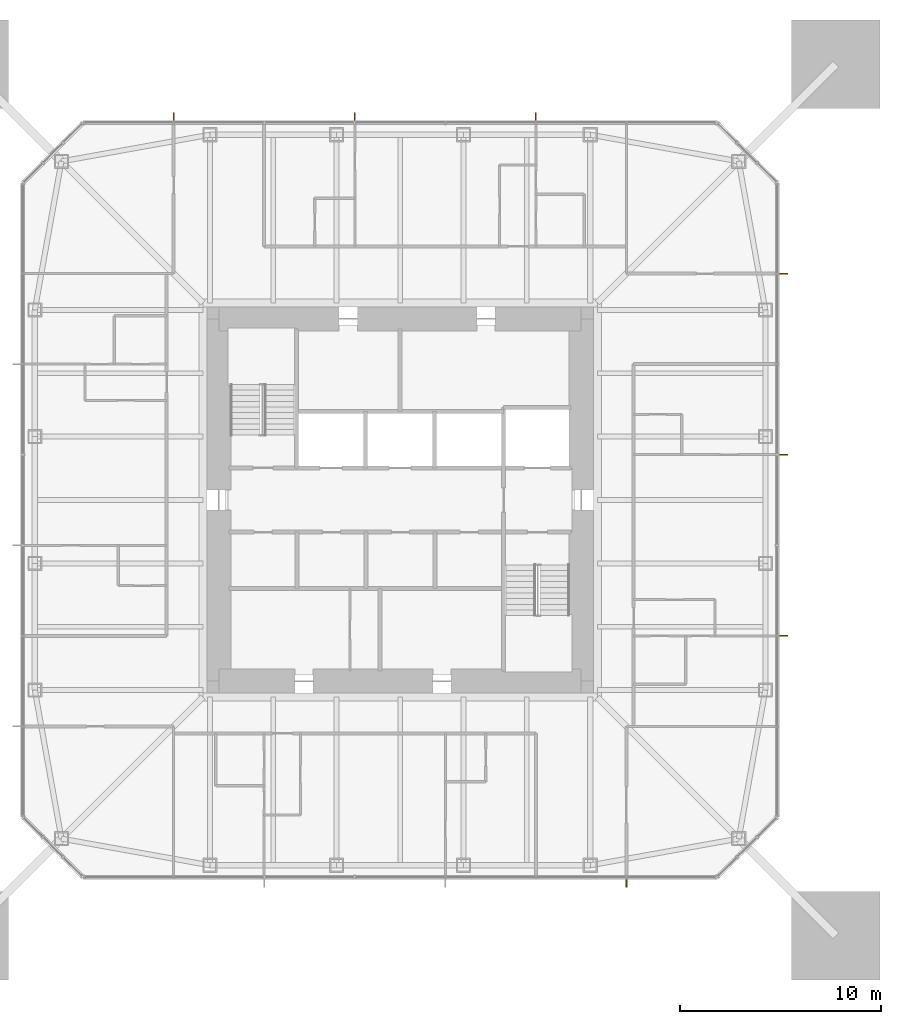
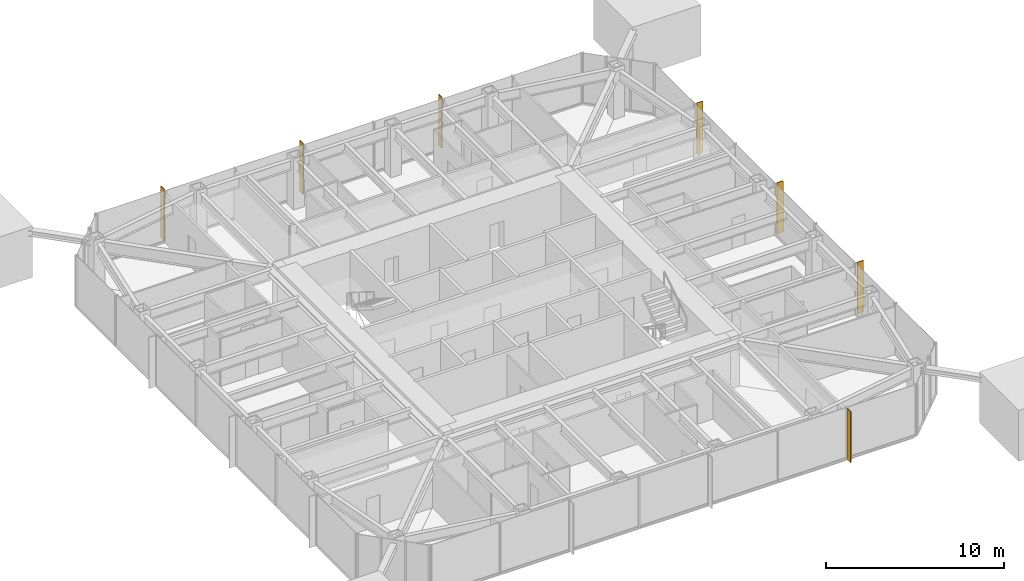
# One storey, part 11 of 11: 7 shading devices.
"""IFC4 building model written with IfcOpenShell, lengths in metres."""

from ifc_helpers import new_model, si_unit, direction, frame, origin, origin_2d, place, context, subcontext, project, spatial, rectangle, extrude, material, layer, layer_set, type_object, element, save


model = new_model("IFC4")

# Units and contexts
model_context = context("Model", 3, precision=1e-05, world=origin(), true_north=direction((0.0, 1.0)))
body_context = subcontext(model_context, "Body", "Model", "MODEL_VIEW")
ifc_project = project(units=[si_unit("LENGTHUNIT", "METRE"), si_unit("AREAUNIT", "SQUARE_METRE"), si_unit("VOLUMEUNIT", "CUBIC_METRE"), si_unit("PLANEANGLEUNIT", "RADIAN"), si_unit("MASSUNIT", "GRAM", prefix="KILO")], contexts=[model_context])

# Site, building, storey
site_placement = place(None, origin())
site = spatial("IfcSite", under=ifc_project, at=site_placement, CompositionType="ELEMENT")
building_placement = place(site_placement, origin())
building = spatial("IfcBuilding", under=site, at=building_placement, Name="Iwan Alto Co-Living Towers", CompositionType="ELEMENT")
storey_placement = place(building_placement, frame((0.0, 0.0, 177.5)))
storey = spatial("IfcBuildingStorey", under=building, at=storey_placement, Name="L48", CompositionType="ELEMENT", Elevation=177.5)

# Shading devices
ifc_material = material(Name="Aluminium 6063-T6 bronze anodised", Category="aluminium")
ifc_layer = layer(ifc_material, 0.050048828125)
ifc_layer_set = layer_set([ifc_layer], Name="BRONZE FIN 50X400")
shading_device_type = type_object("IfcShadingDeviceType", Name="BRONZE FIN 50X400", PredefinedType="USERDEFINED", material=ifc_layer_set)
for number, where, z_axis, x_axis, name in (
    (1, (11.25, -19.050048828125, 0.0), (0.0, 0.0, 1.0), (1.0, 0.0, 0.0), "Bronze fin L48"),
    (2, (19.050048828125, -6.75, 0.0), (0.0, 0.0, 1.0), (0.0, 1.0, 0.0), "Bronze fin L48"),
    (3, (19.050048828125, 2.25, 0.0), (0.0, 0.0, 1.0), (0.0, 1.0, 0.0), "Bronze fin L48"),
    (4, (19.050048828125, 11.25, 0.0), (0.0, 0.0, 1.0), (0.0, 1.0, 0.0), "Bronze fin L48"),
    (5, (6.75, 19.050048828125, 0.0), (0.0, 0.0, 1.0), (-1.0, 0.0, 0.0), "Bronze fin L48"),
    (6, (-2.25, 19.050048828125, 0.0), (0.0, 0.0, 1.0), (-1.0, 0.0, 0.0), "Bronze fin L48"),
    (7, (-11.25, 19.050048828125, 0.0), (0.0, 0.0, 1.0), (-1.0, 0.0, 0.0), "Bronze fin L48"),
):
    element("IfcShadingDevice", number, at=place(storey_placement, frame(where, z_axis=z_axis, x_axis=x_axis)), inside=storey, type_object=shading_device_type, Name=name, ObjectType="LOUVER", PredefinedType="USERDEFINED", context=body_context, shape_type="SweptSolid", body=[
        extrude(rectangle(XDim=0.050048828125, YDim=0.39990234375, at=origin_2d()), origin(), (0.0, 0.0, 1.0), 3.5),
    ])

save(model, "model.ifc")
